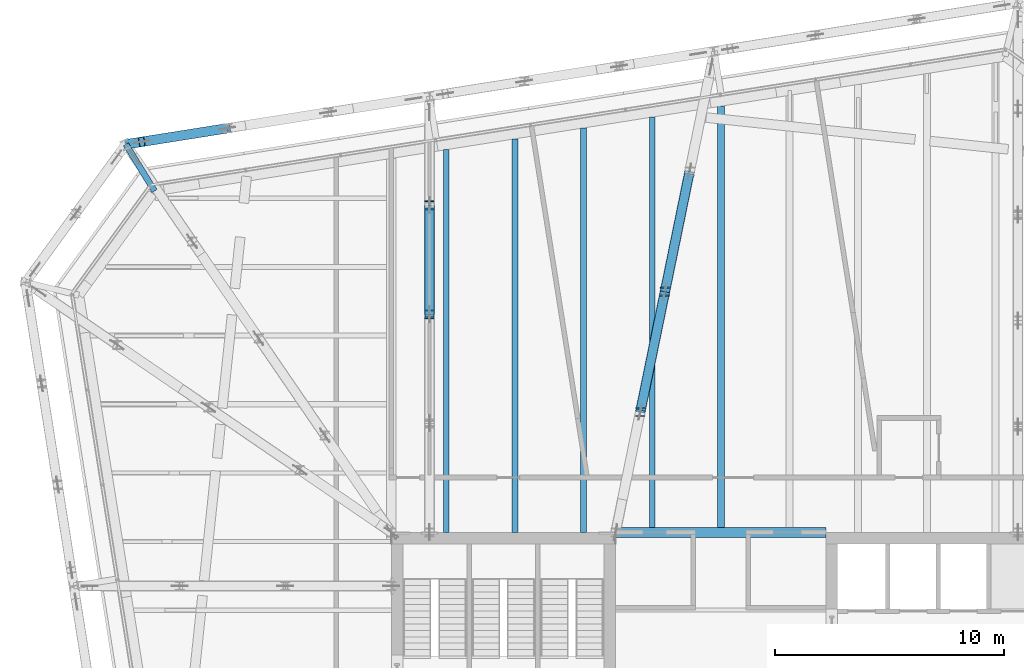
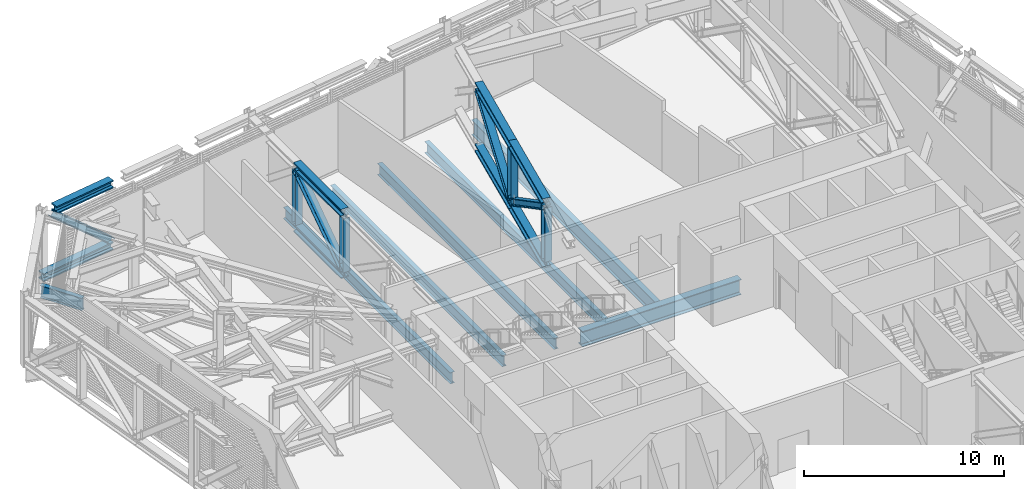
# One storey, part 14 of 32: 15 beams, 8 members.
"""IFC4 building model written with IfcOpenShell, lengths in metres."""

from ifc_helpers import new_model, si_unit, direction, frame, origin, origin_2d, place, context, subcontext, project, spatial, i_section, extrude, material, material_profile, profile_set, type_object, element, save


model = new_model("IFC4")

# Units and contexts
model_context = context("Model", 3, precision=1e-05, world=origin(), true_north=direction((0.0, 1.0)))
body_context = subcontext(model_context, "Body", "Model", "MODEL_VIEW")
ifc_project = project(units=[si_unit("LENGTHUNIT", "METRE"), si_unit("AREAUNIT", "SQUARE_METRE"), si_unit("VOLUMEUNIT", "CUBIC_METRE"), si_unit("PLANEANGLEUNIT", "RADIAN"), si_unit("MASSUNIT", "GRAM", prefix="KILO")], contexts=[model_context])

# Site, building, storey
site_placement = place(None, origin())
site = spatial("IfcSite", under=ifc_project, at=site_placement, CompositionType="ELEMENT")
building_placement = place(site_placement, origin())
building = spatial("IfcBuilding", under=site, at=building_placement, Name="Millrace Tower", CompositionType="ELEMENT")
storey_placement = place(building_placement, frame((0.0, 0.0, 266.89990234375)))
storey = spatial("IfcBuildingStorey", under=building, at=storey_placement, Name="L61", CompositionType="ELEMENT", Elevation=266.89990234375)

# Beams
ifc_material_1 = material(Name="Steel ASTM A992 Grade 50", Category="steel")
ifc_material_profile_1 = material_profile(ifc_material_1, i_section(OverallWidth=0.424072265625, OverallDepth=0.47509765625, WebThickness=0.0478515625, FlangeThickness=0.0771484375, FilletRadius=0.014892578125, at=origin_2d()))
ifc_profile_set_1 = profile_set([ifc_material_profile_1], Name="Steel ASTM A992 Grade 50")
beam_type_1 = type_object("IfcBeamType", Name="Belt truss chord W14x426", PredefinedType="BEAM", material=ifc_profile_set_1)
beam_1_placement = place(storey_placement, frame((-21.575439453125, 27.05615234375, 0.237548828125), z_axis=(-0.987688555037, -0.156433111103, 0.0), x_axis=(0.156433111103, -0.987688555037, 0.0)))
element("IfcBeam", 1, at=beam_1_placement, inside=storey, type_object=beam_type_1, Name="BLT-L61-R12-B03", PredefinedType="BEAM", context=body_context, shape_type="SweptSolid", body=[
    extrude(i_section(OverallWidth=0.424072265625, OverallDepth=0.47509765625, WebThickness=0.0478515625, FlangeThickness=0.0771484375, FilletRadius=0.014892578125, at=origin_2d()), origin(), (0.0, 0.0, 1.0), 4.47607421875),
])
beam_2_placement = place(storey_placement, frame((-21.5634765625, 27.05810546875, 4.002685546875), z_axis=(-0.987684976665, -0.156455702583, 0.0), x_axis=(0.156455702583, -0.987684976665, 0.0)))
element("IfcBeam", 2, at=beam_2_placement, inside=storey, type_object=beam_type_1, Name="BLT-L61-R12-T03", PredefinedType="BEAM", context=body_context, shape_type="SweptSolid", body=[
    extrude(i_section(OverallWidth=0.424072265625, OverallDepth=0.47509765625, WebThickness=0.0478515625, FlangeThickness=0.0771484375, FilletRadius=0.014892578125, at=origin_2d()), origin(), (0.0, 0.0, 1.0), 3.660888671875),
])

# Member
ifc_material_2 = material(Name="Steel ASTM A992 Grade 50", Category="steel")
ifc_material_profile_2 = material_profile(ifc_material_2, i_section(OverallWidth=0.398681640625, OverallDepth=0.385986328125, WebThickness=0.02099609375, FlangeThickness=0.033203125, FilletRadius=0.01513671875, at=origin_2d()))
ifc_profile_set_2 = profile_set([ifc_material_profile_2], Name="Steel ASTM A992 Grade 50")
member_type_1 = type_object("IfcMemberType", Name="Belt truss diagonal W14x176", PredefinedType="BRACE", material=ifc_profile_set_2)
member_1_placement = place(storey_placement, frame((-21.575439453125, 27.05615234375, 0.47509765625), z_axis=(-0.74467446544, -0.117921414762, 0.656928063385), x_axis=(0.156404144508, -0.987693142419, 0.0)))
element("IfcMember", 3, at=member_1_placement, inside=storey, type_object=member_type_1, Name="BLT-L61-R12-D03", PredefinedType="BRACE", context=body_context, shape_type="SweptSolid", body=[
    extrude(i_section(OverallWidth=0.398681640625, OverallDepth=0.385986328125, WebThickness=0.02099609375, FlangeThickness=0.033203125, FilletRadius=0.01513671875, at=origin_2d()), origin(), (0.0, 0.0, 1.0), 5.00830078125),
])

# Beams
ifc_material_3 = material(Name="Steel ASTM A992 Grade 50", Category="steel")
ifc_material_profile_3 = material_profile(ifc_material_3, i_section(OverallWidth=0.256591796875, OverallDepth=0.693359375, WebThickness=0.014404296875, FlangeThickness=0.023681640625, FilletRadius=0.01513671875, at=origin_2d()))
ifc_profile_set_3 = profile_set([ifc_material_profile_3], Name="Steel ASTM A992 Grade 50")
beam_type_2 = type_object("IfcBeamType", Name="Floor beam W27x114", PredefinedType="JOIST", material=ifc_profile_set_3)
beam_3_placement = place(storey_placement, frame((-12.0, 9.39990234375, -0.5966796875), z_axis=(0.0, 1.0, 0.0), x_axis=(-1.0, 0.0, 0.0)))
element("IfcBeam", 4, at=beam_3_placement, inside=storey, type_object=beam_type_2, Name="BM-D-L61-S1-S036", PredefinedType="JOIST", context=body_context, shape_type="SweptSolid", body=[
    extrude(i_section(OverallWidth=0.256591796875, OverallDepth=0.693359375, WebThickness=0.014404296875, FlangeThickness=0.023681640625, FilletRadius=0.01513671875, at=origin_2d()), origin(), (0.0, 0.0, 1.0), 16.72119140625),
])
beam_4_placement = place(storey_placement, frame((-9.0, 9.39990234375, -0.5966796875), z_axis=(0.0, 1.0, 0.0), x_axis=(-1.0, 0.0, 0.0)))
element("IfcBeam", 5, at=beam_4_placement, inside=storey, type_object=beam_type_2, Name="BM-D-L61-S1-S038", PredefinedType="JOIST", context=body_context, shape_type="SweptSolid", body=[
    extrude(i_section(OverallWidth=0.256591796875, OverallDepth=0.693359375, WebThickness=0.014404296875, FlangeThickness=0.023681640625, FilletRadius=0.01513671875, at=origin_2d()), origin(), (0.0, 0.0, 1.0), 17.1962890625),
])
beam_5_placement = place(storey_placement, frame((-6.0, 9.39990234375, -0.5966796875), z_axis=(0.0, 1.0, 0.0), x_axis=(-1.0, 0.0, 0.0)))
element("IfcBeam", 6, at=beam_5_placement, inside=storey, type_object=beam_type_2, Name="BM-D-L61-S1-S040", PredefinedType="JOIST", context=body_context, shape_type="SweptSolid", body=[
    extrude(i_section(OverallWidth=0.256591796875, OverallDepth=0.693359375, WebThickness=0.014404296875, FlangeThickness=0.023681640625, FilletRadius=0.01513671875, at=origin_2d()), origin(), (0.0, 0.0, 1.0), 17.67138671875),
])
beam_6_placement = place(storey_placement, frame((-3.0, 9.612060546875, -0.5966796875), z_axis=(0.0, 1.0, 0.0), x_axis=(-1.0, 0.0, 0.0)))
element("IfcBeam", 7, at=beam_6_placement, inside=storey, type_object=beam_type_2, Name="BM-D-L61-S1-S042", PredefinedType="JOIST", context=body_context, shape_type="SweptSolid", body=[
    extrude(i_section(OverallWidth=0.256591796875, OverallDepth=0.693359375, WebThickness=0.014404296875, FlangeThickness=0.023681640625, FilletRadius=0.01513671875, at=origin_2d()), origin(), (0.0, 0.0, 1.0), 17.934326171875),
])
ifc_material_4 = material(Name="Steel ASTM A992 Grade 50", Category="steel")
ifc_material_profile_4 = material_profile(ifc_material_4, i_section(OverallWidth=0.307373046875, OverallDepth=0.927001953125, WebThickness=0.01953125, FlangeThickness=0.031982421875, FilletRadius=0.01904296875, at=origin_2d()))
ifc_profile_set_4 = profile_set([ifc_material_profile_4], Name="Steel ASTM A992 Grade 50")
beam_type_3 = type_object("IfcBeamType", Name="Floor beam W36x194", PredefinedType="JOIST", material=ifc_profile_set_4)
beam_7_placement = place(storey_placement, frame((0.0, 9.612060546875, -0.71337890625), z_axis=(0.0, 1.0, 0.0), x_axis=(-1.0, 0.0, 0.0)))
element("IfcBeam", 8, at=beam_7_placement, inside=storey, type_object=beam_type_3, Name="BM-D-L61-S1-S044", PredefinedType="JOIST", context=body_context, shape_type="SweptSolid", body=[
    extrude(i_section(OverallWidth=0.307373046875, OverallDepth=0.927001953125, WebThickness=0.01953125, FlangeThickness=0.031982421875, FilletRadius=0.01904296875, at=origin_2d()), origin(), (0.0, 0.0, 1.0), 18.409423828125),
])
ifc_material_5 = material(Name="Steel ASTM A992 Grade 50", Category="steel")
ifc_material_profile_5 = material_profile(ifc_material_5, i_section(OverallWidth=0.424072265625, OverallDepth=0.947509765625, WebThickness=0.02392578125, FlangeThickness=0.042724609375, FilletRadius=0.024169921875, at=origin_2d()))
ifc_profile_set_5 = profile_set([ifc_material_profile_5], Name="Steel ASTM A992 Grade 50")
beam_type_4 = type_object("IfcBeamType", Name="Girder short span W36x302", PredefinedType="BEAM", material=ifc_profile_set_5)
beam_8_placement = place(storey_placement, frame((-4.60009765625, 9.39990234375, -0.7236328125), z_axis=(1.0, 0.0, 0.0), x_axis=(0.0, 1.0, 0.0)))
element("IfcBeam", 9, at=beam_8_placement, inside=storey, type_object=beam_type_4, Name="BM-D-L61-S1-G058", PredefinedType="BEAM", context=body_context, shape_type="SweptSolid", body=[
    extrude(i_section(OverallWidth=0.424072265625, OverallDepth=0.947509765625, WebThickness=0.02392578125, FlangeThickness=0.042724609375, FilletRadius=0.024169921875, at=origin_2d()), origin(), (0.0, 0.0, 1.0), 9.2001953125),
])
ifc_material_6 = material(Name="Steel ASTM A992 Grade 50", Category="steel")
ifc_material_profile_6 = material_profile(ifc_material_6, i_section(OverallWidth=0.2666015625, OverallDepth=0.7568359375, WebThickness=0.013916015625, FlangeThickness=0.019287109375, FilletRadius=0.0166015625, at=origin_2d()))
ifc_profile_set_6 = profile_set([ifc_material_profile_6], Name="Steel ASTM A992 Grade 50")
beam_type_5 = type_object("IfcBeamType", Name="Link beam W30x108", PredefinedType="BEAM", material=ifc_profile_set_6)
beam_9_placement = place(storey_placement, frame((-24.74609375, 24.315673828125, -0.62841796875), z_axis=(-0.522485496218, 0.852648172602, 0.0), x_axis=(-0.852648172602, -0.522485496218, 0.0)))
element("IfcBeam", 10, at=beam_9_placement, inside=storey, type_object=beam_type_5, Name="LNK-D-L61-S1-05", PredefinedType="BEAM", context=body_context, shape_type="SweptSolid", body=[
    extrude(i_section(OverallWidth=0.2666015625, OverallDepth=0.7568359375, WebThickness=0.013916015625, FlangeThickness=0.019287109375, FilletRadius=0.0166015625, at=origin_2d()), origin(), (0.0, 0.0, 1.0), 2.392822265625),
])
ifc_material_7 = material(Name="Steel ASTM A992 Grade 50", Category="steel")
ifc_material_profile_7 = material_profile(ifc_material_7, i_section(OverallWidth=0.424072265625, OverallDepth=0.47509765625, WebThickness=0.0478515625, FlangeThickness=0.0771484375, FilletRadius=0.014892578125, at=origin_2d()))
ifc_profile_set_7 = profile_set([ifc_material_profile_7], Name="Steel ASTM A992 Grade 50")
beam_type_6 = type_object("IfcBeamType", Name="Outrigger truss chord W14x426", PredefinedType="BEAM", material=ifc_profile_set_7)
for number, where, z_axis, x_axis, name in (
    (11, (-3.522216796875, 14.656982421875, 0.237548828125), (0.200908321228, 0.979610048163, 0.0), (-0.979610048163, 0.200908321228, 0.0), "BLT-L61-O11-B02"),
    (12, (-3.522216796875, 14.656982421875, 4.002685546875), (0.200908321228, 0.979610048163, 0.0), (-0.979610048163, 0.200908321228, 0.0), "BLT-L61-O11-T02"),
):
    element("IfcBeam", number, at=place(storey_placement, frame(where, z_axis=z_axis, x_axis=x_axis)), inside=storey, type_object=beam_type_6, Name=name, PredefinedType="BEAM", context=body_context, shape_type="SweptSolid", body=[
        extrude(i_section(OverallWidth=0.424072265625, OverallDepth=0.47509765625, WebThickness=0.0478515625, FlangeThickness=0.0771484375, FilletRadius=0.014892578125, at=origin_2d()), origin(), (0.0, 0.0, 1.0), 5.3662109375),
    ])
for number, where, z_axis, x_axis, name in (
    (13, (-2.444091796875, 19.913818359375, 0.237548828125), (0.200855709587, 0.979620836817, 0.0), (-0.979620836817, 0.200855709587, 0.0), "BLT-L61-O11-B03"),
    (14, (-2.444091796875, 19.913818359375, 4.002685546875), (0.200855709587, 0.979620836817, 0.0), (-0.979620836817, 0.200855709587, 0.0), "BLT-L61-O11-T03"),
):
    element("IfcBeam", number, at=place(storey_placement, frame(where, z_axis=z_axis, x_axis=x_axis)), inside=storey, type_object=beam_type_6, Name=name, PredefinedType="BEAM", context=body_context, shape_type="SweptSolid", body=[
        extrude(i_section(OverallWidth=0.424072265625, OverallDepth=0.47509765625, WebThickness=0.0478515625, FlangeThickness=0.0771484375, FilletRadius=0.014892578125, at=origin_2d()), origin(), (0.0, 0.0, 1.0), 5.366455078125),
    ])
for number, where, z_axis, x_axis, name in (
    (15, (-12.7333984375, 18.92822265625, 0.237548828125), (0.0, 1.0, 0.0), (-1.0, 0.0, 0.0), "BLT-L61-O12-B03"),
    (16, (-12.7333984375, 18.92822265625, 4.002685546875), (0.0, 1.0, 0.0), (-1.0, 0.0, 0.0), "BLT-L61-O12-T03"),
):
    element("IfcBeam", number, at=place(storey_placement, frame(where, z_axis=z_axis, x_axis=x_axis)), inside=storey, type_object=beam_type_6, Name=name, PredefinedType="BEAM", context=body_context, shape_type="SweptSolid", body=[
        extrude(i_section(OverallWidth=0.424072265625, OverallDepth=0.47509765625, WebThickness=0.0478515625, FlangeThickness=0.0771484375, FilletRadius=0.014892578125, at=origin_2d()), origin(), (0.0, 0.0, 1.0), 4.76416015625),
    ])

# Members
ifc_material_8 = material(Name="Steel ASTM A992 Grade 50", Category="steel")
ifc_material_profile_8 = material_profile(ifc_material_8, i_section(OverallWidth=0.398681640625, OverallDepth=0.385986328125, WebThickness=0.02099609375, FlangeThickness=0.033203125, FilletRadius=0.01513671875, at=origin_2d()))
ifc_profile_set_8 = profile_set([ifc_material_profile_8], Name="Steel ASTM A992 Grade 50")
member_type_2 = type_object("IfcMemberType", Name="Outrigger truss diagonal W14x176", PredefinedType="BRACE", material=ifc_profile_set_8)
member_2_placement = place(storey_placement, frame((-2.444091796875, 19.913818359375, 0.47509765625), z_axis=(-0.171279825064, -0.835144291958, 0.522682727031), x_axis=(0.979610048163, -0.200908321228, 0.0)))
element("IfcMember", 17, at=member_2_placement, inside=storey, type_object=member_type_2, Name="BLT-L61-O11-D02", PredefinedType="BRACE", context=body_context, shape_type="SweptSolid", body=[
    extrude(i_section(OverallWidth=0.398681640625, OverallDepth=0.385986328125, WebThickness=0.02099609375, FlangeThickness=0.033203125, FilletRadius=0.01513671875, at=origin_2d()), origin(), (0.0, 0.0, 1.0), 6.29443359375),
])
member_3_placement = place(storey_placement, frame((-2.444091796875, 19.913818359375, 0.47509765625), z_axis=(0.171236629538, 0.835161572783, 0.522669268324), x_axis=(-0.979620836817, 0.200855709587, 0.0)))
element("IfcMember", 18, at=member_3_placement, inside=storey, type_object=member_type_2, Name="BLT-L61-O11-D03", PredefinedType="BRACE", context=body_context, shape_type="SweptSolid", body=[
    extrude(i_section(OverallWidth=0.398681640625, OverallDepth=0.385986328125, WebThickness=0.02099609375, FlangeThickness=0.033203125, FilletRadius=0.01513671875, at=origin_2d()), origin(), (0.0, 0.0, 1.0), 6.294677734375),
])
member_4_placement = place(storey_placement, frame((-12.7333984375, 18.92822265625, 0.47509765625), z_axis=(0.0, 0.822856527801, 0.568249183594), x_axis=(-1.0, 0.0, 0.0)))
element("IfcMember", 19, at=member_4_placement, inside=storey, type_object=member_type_2, Name="BLT-L61-O12-D03", PredefinedType="BRACE", context=body_context, shape_type="SweptSolid", body=[
    extrude(i_section(OverallWidth=0.398681640625, OverallDepth=0.385986328125, WebThickness=0.02099609375, FlangeThickness=0.033203125, FilletRadius=0.01513671875, at=origin_2d()), origin(), (0.0, 0.0, 1.0), 5.789794921875),
])
ifc_material_9 = material(Name="Steel ASTM A992 Grade 50", Category="steel")
ifc_material_profile_9 = material_profile(ifc_material_9, i_section(OverallWidth=0.393798828125, OverallDepth=0.3759765625, WebThickness=0.017333984375, FlangeThickness=0.027587890625, FilletRadius=0.01513671875, at=origin_2d()))
ifc_profile_set_9 = profile_set([ifc_material_profile_9], Name="Steel ASTM A992 Grade 50")
member_type_3 = type_object("IfcMemberType", Name="Outrigger truss post W14x145", PredefinedType="POST", material=ifc_profile_set_9)
for number, where, z_axis, x_axis, name in (
    (20, (-3.522216796875, 14.656982421875, 0.47509765625), (0.0, 0.0, 1.0), (1.0, 0.0, 0.0), "BLT-L61-O11-V01"),
    (21, (-2.444091796875, 19.913818359375, 0.47509765625), (0.0, 0.0, 1.0), (1.0, 0.0, 0.0), "BLT-L61-O11-V02"),
    (22, (-12.7333984375, 18.92822265625, 0.47509765625), (0.0, 0.0, 1.0), (1.0, 0.0, 0.0), "BLT-L61-O12-V02"),
    (23, (-12.7333984375, 23.6923828125, 0.47509765625), (0.0, 0.0, 1.0), (1.0, 0.0, 0.0), "BLT-L61-O12-V03"),
):
    element("IfcMember", number, at=place(storey_placement, frame(where, z_axis=z_axis, x_axis=x_axis)), inside=storey, type_object=member_type_3, Name=name, PredefinedType="POST", context=body_context, shape_type="SweptSolid", body=[
        extrude(i_section(OverallWidth=0.393798828125, OverallDepth=0.3759765625, WebThickness=0.017333984375, FlangeThickness=0.027587890625, FilletRadius=0.01513671875, at=origin_2d()), origin(), (0.0, 0.0, 1.0), 3.2900390625),
    ])

save(model, "model.ifc")
